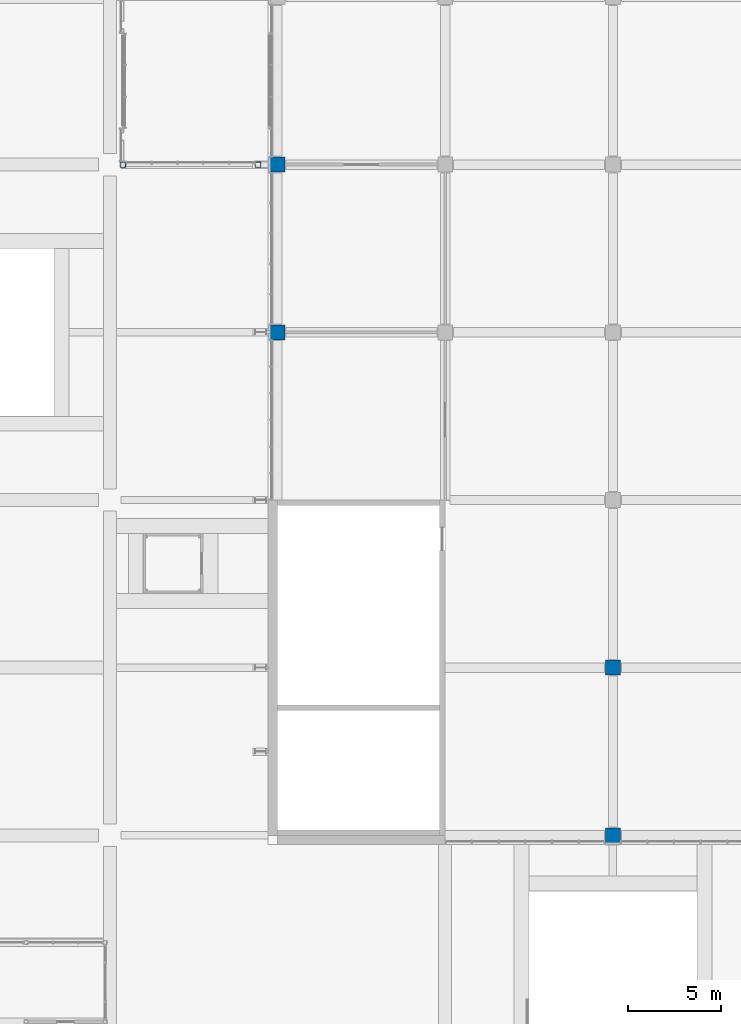
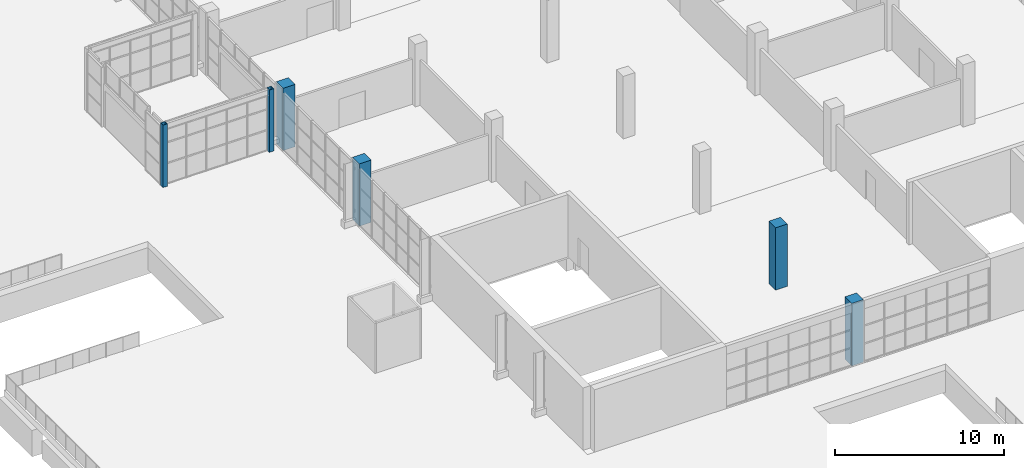
# One storey, part 2 of 168: 6 columns.
"""IFC4 building model written with IfcOpenShell, lengths in metres."""

from ifc_helpers import new_model, si_unit, direction, frame, origin, origin_2d, place, context, subcontext, project, spatial, rectangle, hollow_rectangle, extrude, material, material_profile, profile_set, type_object, element, save


model = new_model("IFC4")

# Units and contexts
model_context = context("Model", 3, precision=1e-05, world=origin(), true_north=direction((0.0, 1.0)))
body_context = subcontext(model_context, "Body", "Model", "MODEL_VIEW")
ifc_project = project(units=[si_unit("LENGTHUNIT", "METRE"), si_unit("AREAUNIT", "SQUARE_METRE"), si_unit("VOLUMEUNIT", "CUBIC_METRE"), si_unit("PLANEANGLEUNIT", "RADIAN"), si_unit("MASSUNIT", "GRAM", prefix="KILO")], contexts=[model_context])

# Site, building, storey
site_placement = place(None, origin())
site = spatial("IfcSite", under=ifc_project, at=site_placement, CompositionType="ELEMENT")
building_placement = place(site_placement, origin())
building = spatial("IfcBuilding", under=site, at=building_placement, Name="Silverbay Arena", CompositionType="ELEMENT")
storey_placement = place(building_placement, frame((0.0, 0.0, 7.0)))
storey = spatial("IfcBuildingStorey", under=building, at=storey_placement, Name="L01", CompositionType="ELEMENT", Elevation=7.0)

# Columns
ifc_material_1 = material(Name="Steel S355", Category="steel")
ifc_material_profile_1 = material_profile(ifc_material_1, hollow_rectangle(XDim=0.300048828125, YDim=0.300048828125, WallThickness=0.012451171875, at=origin_2d()), Name="SHS 300x300x12.5")
ifc_profile_set_1 = profile_set([ifc_material_profile_1], Name="Steel S355")
column_type_1 = type_object("IfcColumnType", Name="Hall column SHS 300x300x12.5", PredefinedType="COLUMN", material=ifc_profile_set_1)
for number, where, z_axis, x_axis, name in (
    (1, (18.699951171875, 54.0, 0.0), (0.0, 0.0, 1.0), (1.0, 0.0, 0.0), "West entrance hall W0 column F1"),
    (2, (25.949951171875, 54.0, 0.0), (0.0, 0.0, 1.0), (1.0, 0.0, 0.0), "West entrance hall W0 column B1"),
):
    element("IfcColumn", number, at=place(storey_placement, frame(where, z_axis=z_axis, x_axis=x_axis)), inside=storey, type_object=column_type_1, Name=name, PredefinedType="COLUMN", context=body_context, shape_type="SweptSolid", body=[
        extrude(hollow_rectangle(XDim=0.300048828125, YDim=0.300048828125, WallThickness=0.012451171875, at=origin_2d()), origin(), (0.0, 0.0, 1.0), 4.5),
    ])
ifc_material_2 = material(Name="Concrete Grade C45", Category="concrete")
ifc_material_profile_2 = material_profile(ifc_material_2, rectangle(XDim=0.800048828125, YDim=0.800048828125, at=origin_2d()), Name="RC 800x800")
ifc_profile_set_2 = profile_set([ifc_material_profile_2], Name="Concrete Grade C45")
column_type_2 = type_object("IfcColumnType", Name="RC column 800x800", PredefinedType="COLUMN", material=ifc_profile_set_2)
for number, where, z_axis, x_axis, name in (
    (3, (27.0, 45.0, 0.0), (0.0, 0.0, 1.0), (1.0, 0.0, 0.0), "Column 4/F L01"),
    (4, (27.0, 54.0, 0.0), (0.0, 0.0, 1.0), (1.0, 0.0, 0.0), "Column 4/G L01"),
    (5, (45.0, 18.0, 0.0), (0.0, 0.0, 1.0), (1.0, 0.0, 0.0), "Column 6/C L01"),
    (6, (45.0, 27.0, 0.0), (0.0, 0.0, 1.0), (1.0, 0.0, 0.0), "Column 6/D L01"),
):
    element("IfcColumn", number, at=place(storey_placement, frame(where, z_axis=z_axis, x_axis=x_axis)), inside=storey, type_object=column_type_2, Name=name, PredefinedType="COLUMN", context=body_context, shape_type="SweptSolid", body=[
        extrude(rectangle(XDim=0.800048828125, YDim=0.800048828125, at=origin_2d()), origin(), (0.0, 0.0, 1.0), 4.5),
    ])

save(model, "model.ifc")
